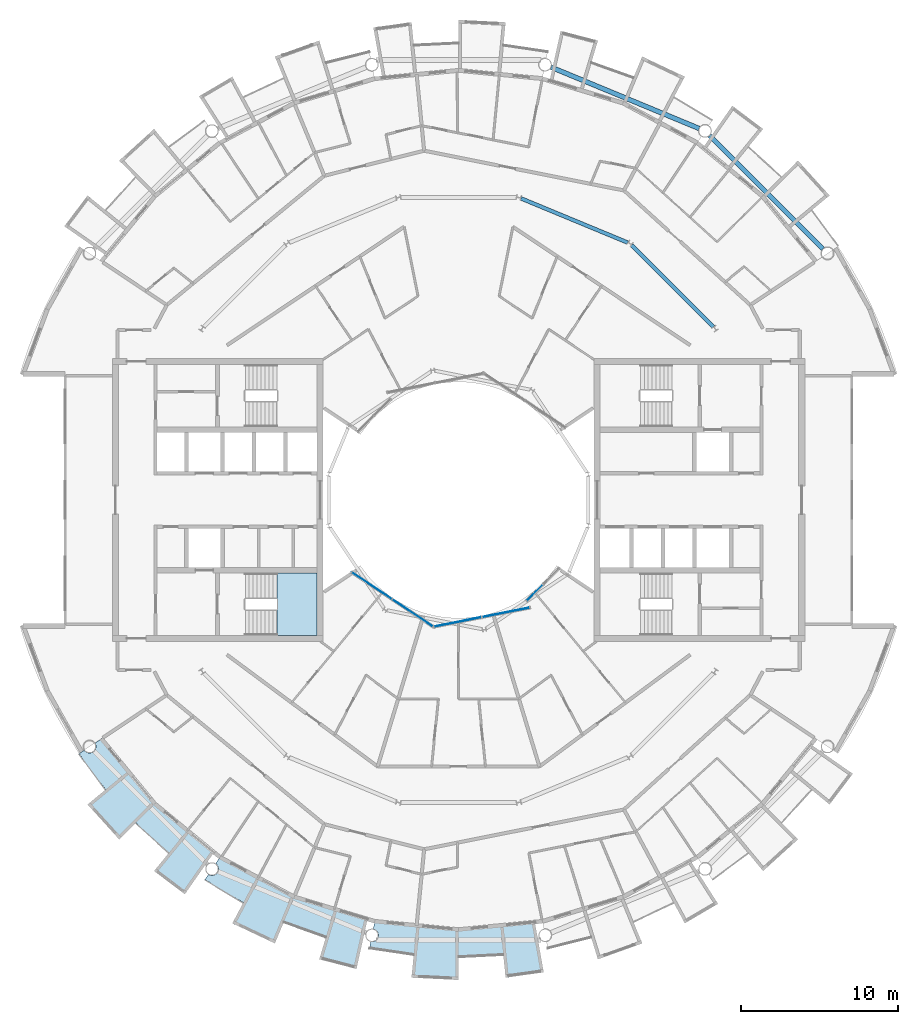
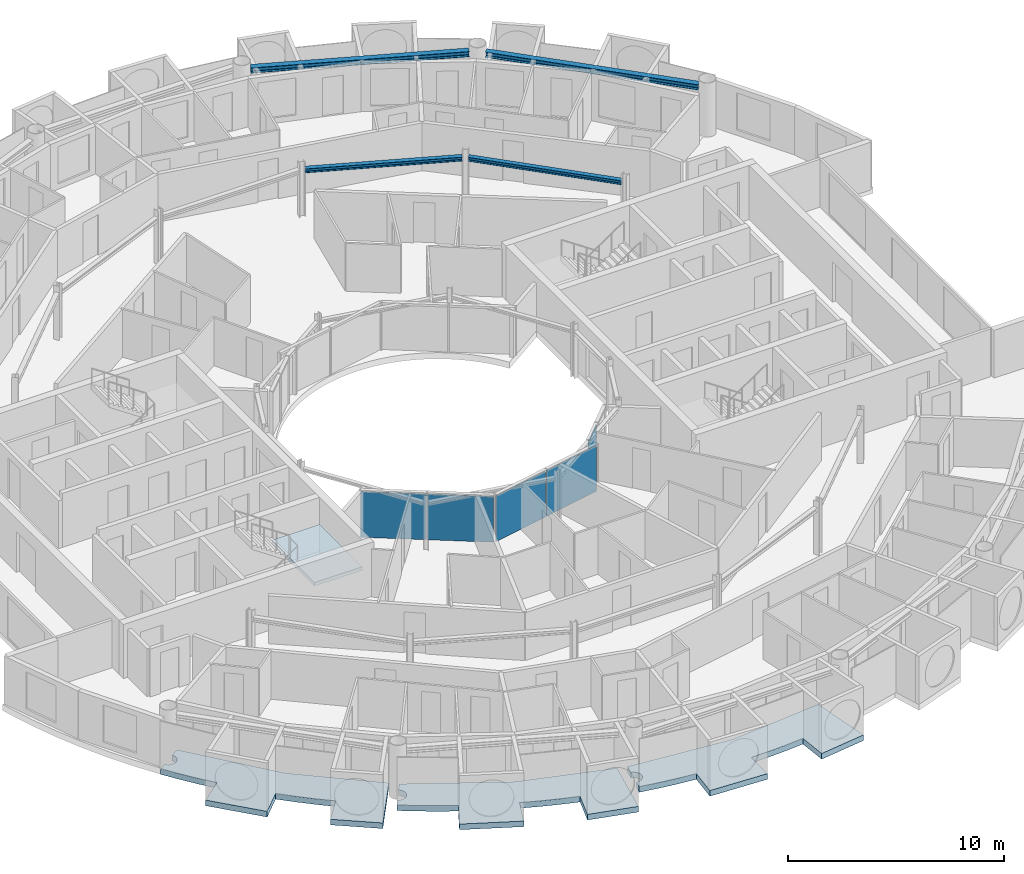
# One storey, part 11 of 28: 5 plates, 4 beams, 4 slabs, 4 elements without a shape of their own.
"""IFC4 building model written with IfcOpenShell, lengths in metres."""

from ifc_helpers import new_model, si_unit, direction, frame, origin, origin_2d, place, context, subcontext, project, spatial, polyline, rectangle, i_section, outline, extrude, material, layer, layer_set, material_profile, profile_set, type_object, element, aggregate, save


model = new_model("IFC4")

# Units and contexts
model_context = context("Model", 3, precision=1e-05, world=origin(), true_north=direction((0.0, 1.0)))
body_context = subcontext(model_context, "Body", "Model", "MODEL_VIEW")
ifc_project = project(units=[si_unit("LENGTHUNIT", "METRE"), si_unit("AREAUNIT", "SQUARE_METRE"), si_unit("VOLUMEUNIT", "CUBIC_METRE"), si_unit("PLANEANGLEUNIT", "RADIAN"), si_unit("MASSUNIT", "GRAM", prefix="KILO")], contexts=[model_context])

# Site, building, storey
site_placement = place(None, origin())
site = spatial("IfcSite", under=ifc_project, at=site_placement, CompositionType="ELEMENT")
building_placement = place(site_placement, origin())
building = spatial("IfcBuilding", under=site, at=building_placement, Name="Maasbend Ring Residences", CompositionType="ELEMENT")
storey_placement = place(building_placement, frame((0.0, 0.0, 227.949951171875)))
storey = spatial("IfcBuildingStorey", under=building, at=storey_placement, Name="L65", CompositionType="ELEMENT", Elevation=227.949951171875)

# Beams
ifc_material_1 = material(Name="Steel S355J2", Category="steel")
ifc_material_profile_1 = material_profile(ifc_material_1, i_section(OverallWidth=0.239990234375, OverallDepth=0.22998046875, WebThickness=0.007568359375, FlangeThickness=0.011962890625, FilletRadius=0.02099609375, at=origin_2d()), Name="HEA 240")
ifc_profile_set_1 = profile_set([ifc_material_profile_1], Name="Steel S355J2")
beam_type_1 = type_object("IfcBeamType", Name="Corridor ring beam HEA 240", PredefinedType="BEAM", material=ifc_profile_set_1)
beam_1_placement = place(storey_placement, frame((16.188720703125, 10.997314453125, 2.5849609375), z_axis=(-0.707106781187, 0.707106781187, 0.0), x_axis=(-0.707106781187, -0.707106781187, 0.0)))
element("IfcBeam", 1, at=beam_1_placement, inside=storey, type_object=beam_type_1, Name="Corridor ring beam", PredefinedType="BEAM", context=body_context, shape_type="SweptSolid", body=[
    extrude(i_section(OverallWidth=0.239990234375, OverallDepth=0.22998046875, WebThickness=0.007568359375, FlangeThickness=0.011962890625, FilletRadius=0.02099609375, at=origin_2d()), origin(), (0.0, 0.0, 1.0), 7.341796875),
])
beam_2_placement = place(storey_placement, frame((10.747802734375, 16.355224609375, 2.5849609375), z_axis=(-0.923875784142, 0.382692481603, 0.0), x_axis=(-0.382692481603, -0.923875784142, 0.0)))
element("IfcBeam", 2, at=beam_2_placement, inside=storey, type_object=beam_type_1, Name="Corridor ring beam", PredefinedType="BEAM", context=body_context, shape_type="SweptSolid", body=[
    extrude(i_section(OverallWidth=0.239990234375, OverallDepth=0.22998046875, WebThickness=0.007568359375, FlangeThickness=0.011962890625, FilletRadius=0.02099609375, at=origin_2d()), origin(), (0.0, 0.0, 1.0), 7.341552734375),
])
ifc_material_2 = material(Name="Steel S355J2", Category="steel")
ifc_material_profile_2 = material_profile(ifc_material_2, i_section(OverallWidth=0.300048828125, OverallDepth=0.300048828125, WebThickness=0.010986328125, FlangeThickness=0.01904296875, FilletRadius=0.027099609375, at=origin_2d()), Name="HEB 300")
ifc_profile_set_2 = profile_set([ifc_material_profile_2], Name="Steel S355J2")
beam_type_2 = type_object("IfcBeamType", Name="Spandrel ring beam HEB 300", PredefinedType="SPANDREL", material=ifc_profile_set_2)
for number, where, z_axis, x_axis, name in (
    (3, (23.159912109375, 15.95458984375, 2.550048828125), (-0.707106781187, 0.707106781187, 0.0), (-0.707106781187, -0.707106781187, 0.0), "Spandrel ring beam"),
    (4, (15.29150390625, 23.60302734375, 2.550048828125), (-0.923883676188, 0.382673428492, 0.0), (-0.382673428492, -0.923883676188, 0.0), "Spandrel ring beam"),
):
    element("IfcBeam", number, at=place(storey_placement, frame(where, z_axis=z_axis, x_axis=x_axis)), inside=storey, type_object=beam_type_2, Name=name, PredefinedType="SPANDREL", context=body_context, shape_type="SweptSolid", body=[
        extrude(i_section(OverallWidth=0.300048828125, OverallDepth=0.300048828125, WebThickness=0.010986328125, FlangeThickness=0.01904296875, FilletRadius=0.027099609375, at=origin_2d()), origin(), (0.0, 0.0, 1.0), 10.18994140625),
    ])

# Stair, slab
ifc_material_3 = material(Name="Concrete C40/50", Category="concrete")
stair_type = type_object("IfcStairType", Name="CORE STAIR 18 RISERS", PredefinedType="HALF_TURN_STAIR", material=ifc_material_3)
stair_placement = place(storey_placement, origin())
stair = element("IfcStair", 5, at=stair_placement, inside=storey, type_object=stair_type, Name="L65 Exit stair ST-W1", PredefinedType="HALF_TURN_STAIR")
ifc_material_4 = material(Name="Concrete C40/50", Category="concrete")
ifc_layer_1 = layer(ifc_material_4, 0.199951171875)
ifc_layer_set_1 = layer_set([ifc_layer_1], Name="Concrete C40/50")
slab_type_1 = type_object("IfcSlabType", Name="CORE STAIR LANDING 200", PredefinedType="LANDING", material=ifc_layer_set_1)
slab_1_placement = place(storey_placement, frame((0.0, 0.0, 1.324951171875)))
slab_1 = element("IfcSlab", 6, at=slab_1_placement, type_object=slab_type_1, Name="ST-W1 landing 1", PredefinedType="LANDING", context=body_context, shape_type="SweptSolid", body=[
    extrude(outline(polyline([(-11.550048828125, -8.60009765625), (-9.0, -8.60009765625), (-9.0, -4.64990234375), (-11.550048828125, -4.64990234375), (-11.550048828125, -8.60009765625)])), origin(), (0.0, 0.0, 1.0), 0.2001953125),
])
aggregate(stair, [slab_1])

# Curtain wall, plates
ifc_material_5 = material(Name="Aluminium and clear glass", Category="aluminium")
ifc_layer_2 = layer(ifc_material_5, 0.179931640625)
ifc_layer_set_2 = layer_set([ifc_layer_2], Name="CW-W")
curtain_wall_type = type_object("IfcCurtainWallType", Name="CW-W", PredefinedType="NOTDEFINED", material=ifc_layer_set_2)
curtain_wall_1_placement = place(storey_placement, origin())
curtain_wall_1 = element("IfcCurtainWall", 7, at=curtain_wall_1_placement, inside=storey, type_object=curtain_wall_type, Name="Well curtain wall S1", PredefinedType="NOTDEFINED")
ifc_material_6 = material(Name="Glass clear laminated", Category="glass")
ifc_layer_3 = layer(ifc_material_6, 0.031982421875)
ifc_layer_set_3 = layer_set([ifc_layer_3], Name="CWP-W")
plate_type = type_object("IfcPlateType", Name="CWP-W", PredefinedType="CURTAIN_PANEL", material=ifc_layer_set_3)
plate_1_placement = place(storey_placement, frame((-5.51123046875, -5.44580078125, 0.0), z_axis=(0.0, 0.0, 1.0), x_axis=(0.831469612303, -0.55557023302, 0.0)))
plate_1 = element("IfcPlate", 8, at=plate_1_placement, type_object=plate_type, Name="Glass panel well face", PredefinedType="CURTAIN_PANEL", context=body_context, shape_type="SweptSolid", body=[
    extrude(rectangle(XDim=3.053955078125, YDim=0.031982421875, at=origin_2d()), origin(), (0.0, 0.0, 1.0), 2.580078125),
])
plate_2_placement = place(storey_placement, frame((-2.922119140625, -7.17578125, 0.0), z_axis=(0.0, 0.0, 1.0), x_axis=(0.831469612303, -0.55557023302, 0.0)))
plate_2 = element("IfcPlate", 9, at=plate_2_placement, type_object=plate_type, Name="Glass panel well face", PredefinedType="CURTAIN_PANEL", context=body_context, shape_type="SweptSolid", body=[
    extrude(rectangle(XDim=3.053955078125, YDim=0.031982421875, at=origin_2d()), origin(), (0.0, 0.0, 1.0), 2.580078125),
])
aggregate(curtain_wall_1, [plate_1, plate_2])

curtain_wall_2_placement = place(storey_placement, origin())
curtain_wall_2 = element("IfcCurtainWall", 10, at=curtain_wall_2_placement, inside=storey, type_object=curtain_wall_type, Name="Well curtain wall S2", PredefinedType="NOTDEFINED")
plate_3_placement = place(storey_placement, frame((-0.04638671875, -7.747802734375, 0.0), z_axis=(0.0, 0.0, 1.0), x_axis=(0.980785280403, 0.195090322016, 0.0)))
plate_3 = element("IfcPlate", 11, at=plate_3_placement, type_object=plate_type, Name="Glass panel well face", PredefinedType="CURTAIN_PANEL", context=body_context, shape_type="SweptSolid", body=[
    extrude(rectangle(XDim=3.053955078125, YDim=0.031982421875, at=origin_2d()), origin(), (0.0, 0.0, 1.0), 2.580078125),
])
plate_4_placement = place(storey_placement, frame((3.0078125, -7.140380859375, 0.0), z_axis=(0.0, 0.0, 1.0), x_axis=(0.980785280403, 0.195090322016, 0.0)))
plate_4 = element("IfcPlate", 12, at=plate_4_placement, type_object=plate_type, Name="Glass panel well face", PredefinedType="CURTAIN_PANEL", context=body_context, shape_type="SweptSolid", body=[
    extrude(rectangle(XDim=3.053955078125, YDim=0.031982421875, at=origin_2d()), origin(), (0.0, 0.0, 1.0), 2.580078125),
])
aggregate(curtain_wall_2, [plate_3, plate_4])

# Curtain wall, plate
curtain_wall_3_placement = place(storey_placement, origin())
curtain_wall_3 = element("IfcCurtainWall", 13, at=curtain_wall_3_placement, inside=storey, type_object=curtain_wall_type, Name="Well curtain wall S3", PredefinedType="NOTDEFINED")
plate_5_placement = place(storey_placement, frame((4.84375, -5.89013671875, 0.0), z_axis=(0.0, 0.0, 1.0), x_axis=(0.707106781187, 0.707106781187, 0.0)))
plate_5 = element("IfcPlate", 14, at=plate_5_placement, type_object=plate_type, Name="Glass panel well face", PredefinedType="CURTAIN_PANEL", context=body_context, shape_type="SweptSolid", body=[
    extrude(rectangle(XDim=1.419677734375, YDim=0.031982421875, at=origin_2d()), origin(), (0.0, 0.0, 1.0), 2.580078125),
])
aggregate(curtain_wall_3, [plate_5])

# Slabs
ifc_material_7 = material(Name="Concrete C40/50", Category="concrete")
ifc_layer_4 = layer(ifc_material_7, 0.199951171875)
ifc_layer_set_4 = layer_set([ifc_layer_4], Name="Concrete C40/50")
slab_type_2 = type_object("IfcSlabType", Name="SL-LOGGIA", PredefinedType="FLOOR", material=ifc_layer_set_4)
slab_2_placement = place(storey_placement, frame((0.0, 0.0, -0.349853515625)))
element("IfcSlab", 15, at=slab_2_placement, inside=storey, type_object=slab_type_2, Name="Loggia floor 1", PredefinedType="FLOOR", context=body_context, shape_type="SweptSolid", body=[
    extrude(outline(polyline([(-15.866943359375, -23.801025390625), (-15.85888671875, -23.805908203125), (-15.85009765625, -23.81005859375), (-15.841064453125, -23.81494140625), (-15.83203125, -23.819091796875), (-15.822998046875, -23.822998046875), (-15.81298828125, -23.826904296875), (-15.803955078125, -23.830078125), (-15.794921875, -23.8330078125), (-15.784912109375, -23.8359375), (-15.77587890625, -23.839111328125), (-15.76611328125, -23.842041015625), (-15.756103515625, -23.843994140625), (-15.74609375, -23.845947265625), (-15.737060546875, -23.847900390625), (-15.72705078125, -23.85009765625), (-15.717041015625, -23.85107421875), (-15.70703125, -23.85205078125), (-15.697021484375, -23.85302734375), (-15.68701171875, -23.85302734375), (-15.677001953125, -23.85400390625), (-15.6669921875, -23.85400390625), (-15.656982421875, -23.85400390625), (-15.64697265625, -23.85302734375), (-15.636962890625, -23.85302734375), (-15.626953125, -23.85205078125), (-15.616943359375, -23.85107421875), (-15.60693359375, -23.85009765625), (-15.597900390625, -23.847900390625), (-15.587890625, -23.845947265625), (-15.577880859375, -23.843994140625), (-15.568115234375, -23.842041015625), (-15.55908203125, -23.839111328125), (-15.549072265625, -23.8359375), (-15.5400390625, -23.8330078125), (-15.530029296875, -23.830078125), (-15.52099609375, -23.826904296875), (-15.511962890625, -23.822998046875), (-15.501953125, -23.819091796875), (-15.492919921875, -23.81494140625), (-15.48388671875, -23.81005859375), (-15.47509765625, -23.805908203125), (-15.467041015625, -23.801025390625), (-15.4580078125, -23.7958984375), (-15.449951171875, -23.791015625), (-15.44091796875, -23.784912109375), (-15.43310546875, -23.780029296875), (-15.425048828125, -23.77392578125), (-15.4169921875, -23.76806640625), (-15.408935546875, -23.761962890625), (-15.402099609375, -23.7548828125), (-15.39404296875, -23.7490234375), (-15.386962890625, -23.741943359375), (-15.3798828125, -23.735107421875), (-15.373046875, -23.72802734375), (-15.365966796875, -23.719970703125), (-15.35888671875, -23.712890625), (-15.35302734375, -23.705078125), (-15.346923828125, -23.697021484375), (-15.341064453125, -23.68994140625), (-15.3349609375, -23.680908203125), (-15.3291015625, -23.673095703125), (-15.323974609375, -23.6650390625), (-15.318115234375, -23.656005859375), (-15.31298828125, -23.64794921875), (-15.30908203125, -23.638916015625), (-15.303955078125, -23.6298828125), (-15.300048828125, -23.62109375), (-15.294921875, -23.612060546875), (-15.2919921875, -23.60302734375), (-15.2880859375, -23.593994140625), (-15.283935546875, -23.583984375), (-15.281005859375, -23.574951171875), (-15.278076171875, -23.56494140625), (-15.27490234375, -23.555908203125), (-15.27294921875, -23.5458984375), (-15.27001953125, -23.535888671875), (-15.26806640625, -23.527099609375), (-15.26708984375, -23.51708984375), (-15.264892578125, -23.507080078125), (-15.263916015625, -23.4970703125), (-15.262939453125, -23.487060546875), (-15.261962890625, -23.47705078125), (-15.260986328125, -23.467041015625), (-15.260986328125, -23.45703125), (-15.260986328125, -23.447021484375), (-15.260986328125, -23.43701171875), (-15.260986328125, -23.427001953125), (-15.261962890625, -23.4169921875), (-15.262939453125, -23.407958984375), (-15.263916015625, -23.39794921875), (-15.264892578125, -23.387939453125), (-15.26708984375, -23.3779296875), (-15.26806640625, -23.367919921875), (-15.27001953125, -23.35791015625), (-15.27294921875, -23.34912109375), (-15.27490234375, -23.339111328125), (-15.278076171875, -23.3291015625), (-15.281005859375, -23.320068359375), (-15.283935546875, -23.31005859375), (-15.2880859375, -23.301025390625), (-15.2919921875, -23.2919921875), (-15.294921875, -23.282958984375), (-15.300048828125, -23.27392578125), (-15.303955078125, -23.264892578125), (-15.30908203125, -23.256103515625), (-15.31298828125, -23.2470703125), (-15.318115234375, -23.238037109375), (-15.323974609375, -23.22998046875), (-15.3291015625, -23.221923828125), (-15.3349609375, -23.212890625), (-15.341064453125, -23.205078125), (-15.346923828125, -23.197021484375), (-15.35302734375, -23.18994140625), (-15.35888671875, -23.181884765625), (-15.365966796875, -23.174072265625), (-15.373046875, -23.1669921875), (-15.3798828125, -23.159912109375), (-15.386962890625, -23.153076171875), (-15.39404296875, -23.14599609375), (-15.402099609375, -23.139892578125), (-15.408935546875, -23.133056640625), (-15.4169921875, -23.126953125), (-15.425048828125, -23.12109375), (-15.43310546875, -23.114990234375), (-15.44091796875, -23.10888671875), (-15.1669921875, -22.698974609375), (-15.1669921875, -22.698974609375), (-15.1669921875, -22.698974609375), (-12.806884765625, -23.9609375), (-10.447021484375, -25.221923828125), (-10.447021484375, -25.221923828125), (-10.447021484375, -25.221923828125), (-7.886962890625, -25.9990234375), (-5.797119140625, -26.633056640625), (-5.797119140625, -26.633056640625), (-5.797119140625, -26.633056640625), (-6.487060546875, -29.802001953125), (-6.487060546875, -29.802001953125), (-6.487060546875, -29.802001953125), (-8.85400390625, -29.18701171875), (-8.85400390625, -29.18701171875), (-8.85400390625, -29.18701171875), (-8.41796875, -27.751953125), (-8.41796875, -27.751953125), (-8.41796875, -27.751953125), (-8.41796875, -27.751953125), (-8.41796875, -27.751953125), (-8.41796875, -27.751953125), (-8.41796875, -27.7509765625), (-8.41796875, -27.7509765625), (-8.41796875, -27.7509765625), (-8.41796875, -27.7509765625), (-8.41796875, -27.7509765625), (-8.4189453125, -27.7509765625), (-8.4189453125, -27.7509765625), (-8.4189453125, -27.7509765625), (-8.4189453125, -27.7509765625), (-8.4189453125, -27.7509765625), (-8.4189453125, -27.7509765625), (-9.322021484375, -27.4609375), (-9.322021484375, -27.4609375), (-10.215087890625, -27.14111328125), (-10.215087890625, -27.14111328125), (-11.096923828125, -26.79296875), (-11.096923828125, -26.79296875), (-11.096923828125, -26.79296875), (-11.097900390625, -26.79296875), (-11.097900390625, -26.79296875), (-11.097900390625, -26.79296875), (-11.097900390625, -26.79296875), (-11.097900390625, -26.79296875), (-11.097900390625, -26.79296875), (-11.097900390625, -26.79296875), (-11.097900390625, -26.79296875), (-11.097900390625, -26.79296875), (-11.097900390625, -26.79296875), (-11.097900390625, -26.79296875), (-11.097900390625, -26.79296875), (-11.097900390625, -26.79296875), (-11.097900390625, -26.79296875), (-11.672119140625, -28.177978515625), (-11.672119140625, -28.177978515625), (-11.672119140625, -28.177978515625), (-14.3779296875, -26.89892578125), (-14.3779296875, -26.89892578125), (-14.3779296875, -26.89892578125), (-13.6708984375, -25.575927734375), (-13.6708984375, -25.575927734375), (-13.6708984375, -25.575927734375), (-13.6708984375, -25.575927734375), (-13.6708984375, -25.575927734375), (-13.6708984375, -25.575927734375), (-13.6708984375, -25.575927734375), (-13.6708984375, -25.575927734375), (-13.6708984375, -25.575927734375), (-13.6708984375, -25.575927734375), (-13.6708984375, -25.575927734375), (-13.6708984375, -25.575927734375), (-13.6708984375, -25.575927734375), (-13.6708984375, -25.575927734375), (-13.6708984375, -25.575927734375), (-13.6708984375, -25.575927734375), (-13.6708984375, -25.574951171875), (-14.5, -25.114990234375), (-14.5, -25.114990234375), (-15.31396484375, -24.626953125), (-15.31396484375, -24.626953125), (-16.112060546875, -24.113037109375), (-16.112060546875, -24.113037109375), (-16.112060546875, -24.113037109375), (-15.89306640625, -23.784912109375), (-15.885009765625, -23.791015625), (-15.8759765625, -23.7958984375), (-15.866943359375, -23.801025390625)])), origin(), (0.0, 0.0, 1.0), 0.31982421875),
])
slab_3_placement = place(storey_placement, frame((0.0, 0.0, -0.349853515625)))
element("IfcSlab", 16, at=slab_3_placement, inside=storey, type_object=slab_type_2, Name="Loggia floor 3", PredefinedType="FLOOR", context=body_context, shape_type="SweptSolid", body=[
    extrude(outline(polyline([(-2.6630859375, -27.0380859375), (0.0, -27.300048828125), (0.0, -27.300048828125), (0.0, -27.300048828125), (2.6630859375, -27.0380859375), (4.8359375, -26.823974609375), (4.8359375, -26.823974609375), (4.8359375, -26.823974609375), (5.412109375, -30.01611328125), (5.412109375, -30.01611328125), (5.412109375, -30.01611328125), (2.989990234375, -30.35302734375), (2.989990234375, -30.35302734375), (2.989990234375, -30.35302734375), (2.843017578125, -28.861083984375), (2.843017578125, -28.861083984375), (2.843017578125, -28.861083984375), (2.843017578125, -28.861083984375), (2.842041015625, -28.861083984375), (2.842041015625, -28.861083984375), (2.842041015625, -28.861083984375), (2.842041015625, -28.861083984375), (2.842041015625, -28.861083984375), (2.842041015625, -28.860107421875), (2.842041015625, -28.860107421875), (2.842041015625, -28.860107421875), (2.842041015625, -28.860107421875), (2.842041015625, -28.860107421875), (2.842041015625, -28.860107421875), (2.842041015625, -28.860107421875), (2.842041015625, -28.860107421875), (1.89697265625, -28.93798828125), (1.89697265625, -28.93798828125), (0.948974609375, -28.98388671875), (0.948974609375, -28.98388671875), (0.0, -29.0), (0.0, -29.0), (0.0, -29.0), (0.0, -29.0), (0.0, -29.0), (0.0, -29.0), (0.0, -29.0), (0.0, -29.0), (0.0, -29.0), (0.0, -29.0), (0.0, -29.0), (0.0, -29.0), (0.0, -29.0), (0.0, -29.0), (0.0, -29.0), (0.0, -29.0), (0.0, -29.0), (0.0, -30.5), (0.0, -30.5), (0.0, -30.5), (-2.989990234375, -30.35302734375), (-2.989990234375, -30.35302734375), (-2.989990234375, -30.35302734375), (-2.843017578125, -28.861083984375), (-2.843017578125, -28.861083984375), (-2.843017578125, -28.861083984375), (-2.843017578125, -28.861083984375), (-2.843017578125, -28.861083984375), (-2.843017578125, -28.861083984375), (-2.843017578125, -28.861083984375), (-2.843017578125, -28.861083984375), (-2.843017578125, -28.860107421875), (-2.843017578125, -28.860107421875), (-2.843017578125, -28.860107421875), (-2.843017578125, -28.860107421875), (-2.843017578125, -28.860107421875), (-2.843017578125, -28.860107421875), (-2.843017578125, -28.860107421875), (-2.843017578125, -28.860107421875), (-2.843017578125, -28.860107421875), (-3.784912109375, -28.751953125), (-3.784912109375, -28.751953125), (-4.72412109375, -28.613037109375), (-4.72412109375, -28.613037109375), (-5.657958984375, -28.443115234375), (-5.657958984375, -28.443115234375), (-5.657958984375, -28.443115234375), (-5.5810546875, -28.056884765625), (-5.5810546875, -28.056884765625), (-5.571044921875, -28.05908203125), (-5.56103515625, -28.06005859375), (-5.551025390625, -28.06201171875), (-5.541015625, -28.06298828125), (-5.531005859375, -28.06298828125), (-5.52099609375, -28.06396484375), (-5.510986328125, -28.06396484375), (-5.501953125, -28.06494140625), (-5.491943359375, -28.06396484375), (-5.48193359375, -28.06396484375), (-5.471923828125, -28.06298828125), (-5.4619140625, -28.06298828125), (-5.451904296875, -28.06201171875), (-5.44189453125, -28.06005859375), (-5.431884765625, -28.05908203125), (-5.422119140625, -28.056884765625), (-5.412109375, -28.054931640625), (-5.403076171875, -28.052001953125), (-5.39306640625, -28.050048828125), (-5.383056640625, -28.047119140625), (-5.3740234375, -28.0439453125), (-5.364990234375, -28.041015625), (-5.35498046875, -28.037109375), (-5.345947265625, -28.033935546875), (-5.3369140625, -28.030029296875), (-5.327880859375, -28.02587890625), (-5.319091796875, -28.02099609375), (-5.31005859375, -28.01708984375), (-5.301025390625, -28.011962890625), (-5.29296875, -28.007080078125), (-5.283935546875, -28.001953125), (-5.27587890625, -27.99609375), (-5.26708984375, -27.989990234375), (-5.259033203125, -27.985107421875), (-5.2509765625, -27.97900390625), (-5.243896484375, -27.971923828125), (-5.236083984375, -27.966064453125), (-5.22900390625, -27.958984375), (-5.220947265625, -27.952880859375), (-5.214111328125, -27.946044921875), (-5.20703125, -27.93798828125), (-5.199951171875, -27.930908203125), (-5.194091796875, -27.924072265625), (-5.18701171875, -27.916015625), (-5.180908203125, -27.907958984375), (-5.175048828125, -27.89990234375), (-5.1689453125, -27.89208984375), (-5.1640625, -27.884033203125), (-5.157958984375, -27.8759765625), (-5.153076171875, -27.866943359375), (-5.14794921875, -27.85791015625), (-5.14306640625, -27.85009765625), (-5.137939453125, -27.841064453125), (-5.134033203125, -27.83203125), (-5.1298828125, -27.822998046875), (-5.1259765625, -27.81396484375), (-5.1220703125, -27.803955078125), (-5.118896484375, -27.794921875), (-5.115966796875, -27.785888671875), (-5.113037109375, -27.77587890625), (-5.110107421875, -27.76708984375), (-5.10693359375, -27.757080078125), (-5.10498046875, -27.7470703125), (-5.10302734375, -27.737060546875), (-5.10107421875, -27.72802734375), (-5.09912109375, -27.718017578125), (-5.097900390625, -27.7080078125), (-5.096923828125, -27.697998046875), (-5.095947265625, -27.68798828125), (-5.094970703125, -27.677978515625), (-5.094970703125, -27.66796875), (-5.094970703125, -27.657958984375), (-5.094970703125, -27.64794921875), (-5.094970703125, -27.637939453125), (-5.095947265625, -27.6279296875), (-5.096923828125, -27.617919921875), (-5.097900390625, -27.60791015625), (-5.09912109375, -27.597900390625), (-5.10107421875, -27.589111328125), (-5.10302734375, -27.5791015625), (-5.10498046875, -27.569091796875), (-5.10693359375, -27.55908203125), (-5.110107421875, -27.550048828125), (-5.113037109375, -27.5400390625), (-5.115966796875, -27.531005859375), (-5.118896484375, -27.52099609375), (-5.1220703125, -27.511962890625), (-5.1259765625, -27.5029296875), (-5.1298828125, -27.492919921875), (-5.134033203125, -27.48388671875), (-5.137939453125, -27.47509765625), (-5.14306640625, -27.466064453125), (-5.14794921875, -27.4580078125), (-5.153076171875, -27.448974609375), (-5.157958984375, -27.44091796875), (-5.1640625, -27.431884765625), (-5.1689453125, -27.424072265625), (-5.175048828125, -27.416015625), (-5.180908203125, -27.407958984375), (-5.18701171875, -27.39990234375), (-5.194091796875, -27.39306640625), (-5.199951171875, -27.385009765625), (-5.20703125, -27.3779296875), (-5.214111328125, -27.37109375), (-5.220947265625, -27.364013671875), (-5.22900390625, -27.35693359375), (-5.236083984375, -27.35009765625), (-5.243896484375, -27.343994140625), (-5.2509765625, -27.337890625), (-5.259033203125, -27.33203125), (-5.26708984375, -27.325927734375), (-5.27587890625, -27.320068359375), (-5.283935546875, -27.31494140625), (-5.29296875, -27.30908203125), (-5.301025390625, -27.303955078125), (-5.31005859375, -27.300048828125), (-5.319091796875, -27.294921875), (-5.327880859375, -27.291015625), (-5.3369140625, -27.285888671875), (-5.345947265625, -27.282958984375), (-5.35498046875, -27.279052734375), (-5.364990234375, -27.27490234375), (-5.3740234375, -27.27197265625), (-5.383056640625, -27.26904296875), (-5.39306640625, -27.26611328125), (-5.403076171875, -27.263916015625), (-5.412109375, -27.260986328125), (-5.422119140625, -27.259033203125), (-5.422119140625, -27.259033203125), (-5.325927734375, -26.77490234375), (-5.325927734375, -26.77490234375), (-5.325927734375, -26.77490234375), (-2.6630859375, -27.0380859375)])), origin(), (0.0, 0.0, 1.0), 0.31982421875),
])
slab_4_placement = place(storey_placement, frame((0.0, 0.0, -0.349853515625)))
element("IfcSlab", 17, at=slab_4_placement, inside=storey, type_object=slab_type_2, Name="Loggia floor 4", PredefinedType="FLOOR", context=body_context, shape_type="SweptSolid", body=[
    extrude(outline(polyline([(-23.77392578125, -15.908935546875), (-23.76806640625, -15.9169921875), (-23.761962890625, -15.925048828125), (-23.7548828125, -15.93310546875), (-23.7490234375, -15.93994140625), (-23.741943359375, -15.947021484375), (-23.735107421875, -15.955078125), (-23.72802734375, -15.9619140625), (-23.719970703125, -15.968017578125), (-23.712890625, -15.97509765625), (-23.705078125, -15.98095703125), (-23.697021484375, -15.988037109375), (-23.68994140625, -15.993896484375), (-23.680908203125, -15.9990234375), (-23.673095703125, -16.0048828125), (-23.6650390625, -16.010986328125), (-23.656005859375, -16.01611328125), (-23.64794921875, -16.02099609375), (-23.638916015625, -16.02587890625), (-23.6298828125, -16.030029296875), (-23.62109375, -16.034912109375), (-23.612060546875, -16.0390625), (-23.60302734375, -16.04296875), (-23.593994140625, -16.0458984375), (-23.583984375, -16.050048828125), (-23.574951171875, -16.052978515625), (-23.56494140625, -16.055908203125), (-23.555908203125, -16.05908203125), (-23.5458984375, -16.06103515625), (-23.535888671875, -16.06396484375), (-23.527099609375, -16.06591796875), (-23.51708984375, -16.068115234375), (-23.507080078125, -16.069091796875), (-23.4970703125, -16.071044921875), (-23.487060546875, -16.072021484375), (-23.47705078125, -16.072021484375), (-23.467041015625, -16.072998046875), (-23.45703125, -16.072998046875), (-23.447021484375, -16.073974609375), (-23.43701171875, -16.072998046875), (-23.427001953125, -16.072998046875), (-23.4169921875, -16.072021484375), (-23.407958984375, -16.072021484375), (-23.39794921875, -16.071044921875), (-23.387939453125, -16.069091796875), (-23.3779296875, -16.068115234375), (-23.367919921875, -16.06591796875), (-23.35791015625, -16.06396484375), (-23.34912109375, -16.06103515625), (-23.339111328125, -16.05908203125), (-23.3291015625, -16.055908203125), (-23.320068359375, -16.052978515625), (-23.31005859375, -16.050048828125), (-23.301025390625, -16.0458984375), (-23.2919921875, -16.04296875), (-23.282958984375, -16.0390625), (-23.27392578125, -16.034912109375), (-23.264892578125, -16.030029296875), (-23.256103515625, -16.02587890625), (-23.2470703125, -16.02099609375), (-23.238037109375, -16.01611328125), (-23.22998046875, -16.010986328125), (-23.221923828125, -16.0048828125), (-23.212890625, -15.9990234375), (-23.205078125, -15.993896484375), (-23.197021484375, -15.988037109375), (-23.18994140625, -15.98095703125), (-23.181884765625, -15.97509765625), (-23.174072265625, -15.968017578125), (-23.1669921875, -15.9619140625), (-23.159912109375, -15.955078125), (-23.153076171875, -15.947021484375), (-23.14599609375, -15.93994140625), (-23.139892578125, -15.93310546875), (-23.133056640625, -15.925048828125), (-23.126953125, -15.9169921875), (-23.12109375, -15.908935546875), (-23.114990234375, -15.90087890625), (-23.10888671875, -15.89306640625), (-23.10400390625, -15.885009765625), (-23.09912109375, -15.8759765625), (-23.093994140625, -15.866943359375), (-23.089111328125, -15.85888671875), (-23.083984375, -15.85009765625), (-23.080078125, -15.841064453125), (-23.075927734375, -15.83203125), (-23.072021484375, -15.822998046875), (-23.068115234375, -15.81298828125), (-23.06494140625, -15.803955078125), (-23.06103515625, -15.794921875), (-23.05810546875, -15.784912109375), (-23.055908203125, -15.77587890625), (-23.052978515625, -15.76611328125), (-23.051025390625, -15.756103515625), (-23.049072265625, -15.74609375), (-23.047119140625, -15.737060546875), (-23.044921875, -15.72705078125), (-23.0439453125, -15.717041015625), (-23.04296875, -15.70703125), (-23.0419921875, -15.697021484375), (-23.041015625, -15.68701171875), (-23.041015625, -15.677001953125), (-23.041015625, -15.6669921875), (-23.041015625, -15.656982421875), (-23.041015625, -15.64697265625), (-23.0419921875, -15.636962890625), (-23.04296875, -15.626953125), (-23.0439453125, -15.616943359375), (-23.044921875, -15.60693359375), (-23.047119140625, -15.597900390625), (-23.049072265625, -15.587890625), (-23.051025390625, -15.577880859375), (-23.052978515625, -15.568115234375), (-23.055908203125, -15.55908203125), (-23.05810546875, -15.549072265625), (-23.06103515625, -15.5400390625), (-23.06494140625, -15.530029296875), (-23.068115234375, -15.52099609375), (-23.072021484375, -15.511962890625), (-23.075927734375, -15.501953125), (-23.080078125, -15.492919921875), (-23.083984375, -15.48388671875), (-23.089111328125, -15.47509765625), (-23.093994140625, -15.467041015625), (-23.09912109375, -15.4580078125), (-23.10400390625, -15.449951171875), (-23.10888671875, -15.44091796875), (-23.10888671875, -15.44091796875), (-22.698974609375, -15.1669921875), (-22.698974609375, -15.1669921875), (-22.698974609375, -15.1669921875), (-21.001953125, -17.236083984375), (-19.303955078125, -19.303955078125), (-19.303955078125, -19.303955078125), (-19.303955078125, -19.303955078125), (-17.236083984375, -21.001953125), (-15.547119140625, -22.386962890625), (-15.547119140625, -22.386962890625), (-15.547119140625, -22.386962890625), (-17.39794921875, -25.051025390625), (-17.39794921875, -25.051025390625), (-17.39794921875, -25.051025390625), (-19.34912109375, -23.576904296875), (-19.34912109375, -23.576904296875), (-19.34912109375, -23.576904296875), (-18.39794921875, -22.41796875), (-18.39794921875, -22.41796875), (-18.39794921875, -22.41796875), (-18.39794921875, -22.41796875), (-18.39794921875, -22.41796875), (-18.39794921875, -22.4169921875), (-18.39794921875, -22.4169921875), (-18.39794921875, -22.4169921875), (-18.39794921875, -22.4169921875), (-18.39794921875, -22.4169921875), (-18.39794921875, -22.4169921875), (-18.39794921875, -22.4169921875), (-18.39794921875, -22.4169921875), (-18.39794921875, -22.4169921875), (-18.39794921875, -22.4169921875), (-18.39794921875, -22.4169921875), (-18.39794921875, -22.4169921875), (-19.12109375, -21.802978515625), (-19.12109375, -21.802978515625), (-19.823974609375, -21.166015625), (-19.823974609375, -21.166015625), (-20.506103515625, -20.506103515625), (-20.506103515625, -20.506103515625), (-20.506103515625, -20.506103515625), (-20.506103515625, -20.506103515625), (-20.506103515625, -20.506103515625), (-20.506103515625, -20.506103515625), (-20.506103515625, -20.506103515625), (-20.506103515625, -20.506103515625), (-20.506103515625, -20.506103515625), (-20.506103515625, -20.506103515625), (-20.506103515625, -20.506103515625), (-20.506103515625, -20.506103515625), (-20.506103515625, -20.506103515625), (-20.506103515625, -20.506103515625), (-20.506103515625, -20.506103515625), (-20.506103515625, -20.506103515625), (-20.506103515625, -20.506103515625), (-21.56689453125, -21.56689453125), (-21.56689453125, -21.56689453125), (-21.56689453125, -21.56689453125), (-23.576904296875, -19.34912109375), (-23.576904296875, -19.34912109375), (-23.576904296875, -19.34912109375), (-22.41796875, -18.39794921875), (-22.41796875, -18.39794921875), (-22.41796875, -18.39794921875), (-22.41796875, -18.39794921875), (-22.41796875, -18.39794921875), (-22.41796875, -18.39794921875), (-22.41796875, -18.39697265625), (-22.41796875, -18.39697265625), (-22.41796875, -18.39697265625), (-22.41796875, -18.39697265625), (-22.41796875, -18.39697265625), (-22.41796875, -18.39697265625), (-22.41796875, -18.39697265625), (-22.41796875, -18.39697265625), (-22.41796875, -18.39697265625), (-22.41796875, -18.39697265625), (-22.41796875, -18.39697265625), (-23.007080078125, -17.654052734375), (-23.007080078125, -17.654052734375), (-23.572998046875, -16.89208984375), (-23.572998046875, -16.89208984375), (-24.113037109375, -16.112060546875), (-24.113037109375, -16.112060546875), (-24.113037109375, -16.112060546875), (-23.784912109375, -15.89306640625), (-23.784912109375, -15.89306640625), (-23.780029296875, -15.90087890625), (-23.77392578125, -15.908935546875)])), origin(), (0.0, 0.0, 1.0), 0.31982421875),
])

save(model, "model.ifc")
